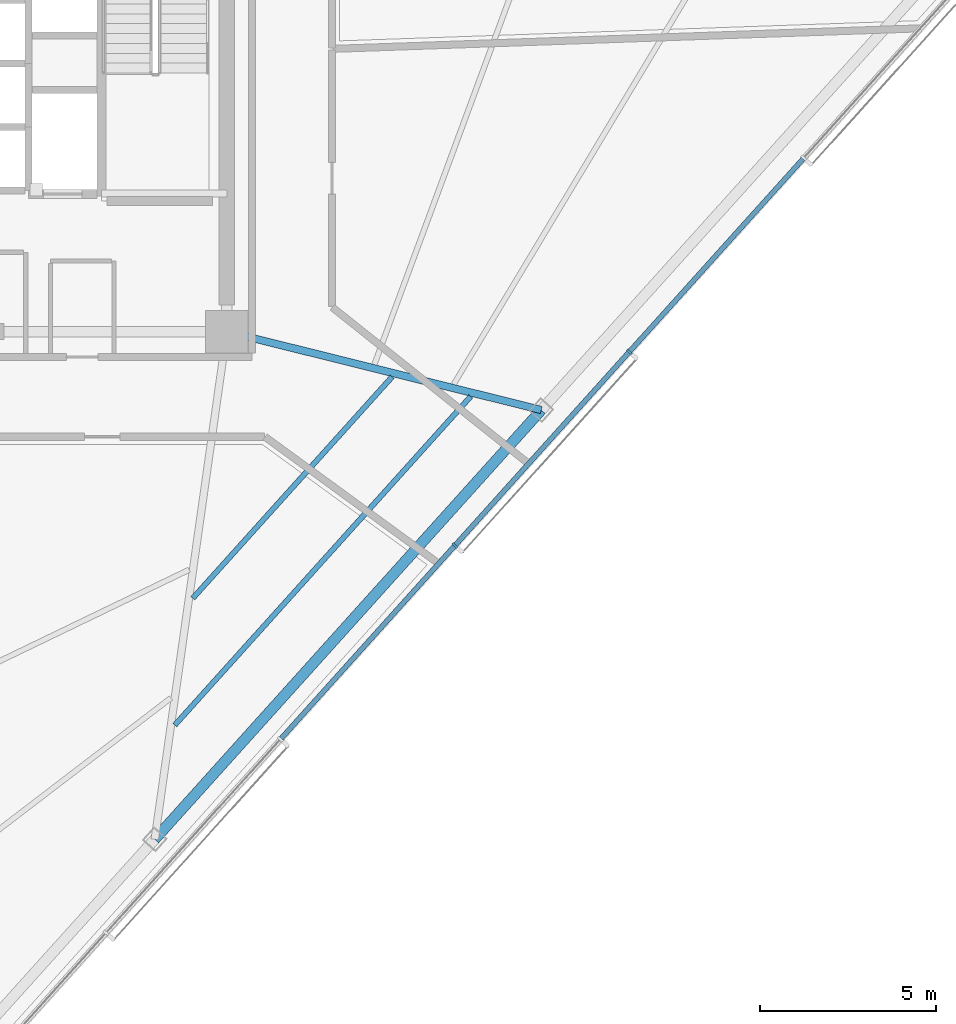
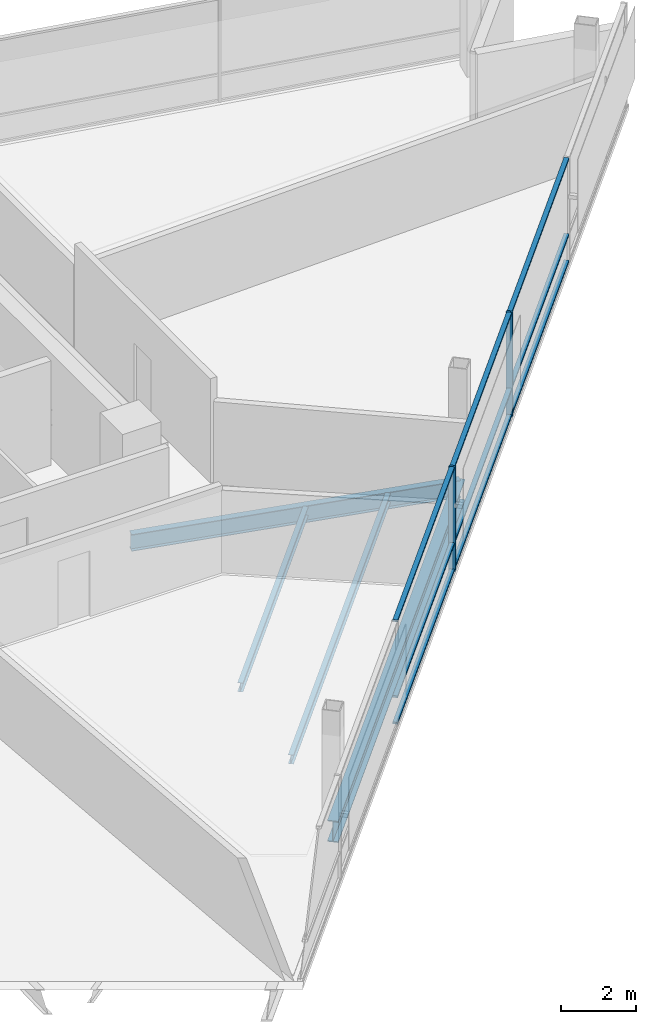
# One storey, part 4 of 17: 11 members, 4 beams, 1 element without a shape of its own.
"""IFC4 building model written with IfcOpenShell, lengths in metres."""

from ifc_helpers import new_model, si_unit, direction, frame, origin, origin_2d, place, context, subcontext, project, spatial, rectangle, i_section, extrude, material, layer, layer_set, material_profile, profile_set, type_object, element, aggregate, save


model = new_model("IFC4")

# Units and contexts
model_context = context("Model", 3, precision=1e-05, world=origin(), true_north=direction((0.0, 1.0)))
body_context = subcontext(model_context, "Body", "Model", "MODEL_VIEW")
ifc_project = project(units=[si_unit("LENGTHUNIT", "METRE"), si_unit("AREAUNIT", "SQUARE_METRE"), si_unit("VOLUMEUNIT", "CUBIC_METRE"), si_unit("PLANEANGLEUNIT", "RADIAN"), si_unit("MASSUNIT", "GRAM", prefix="KILO")], contexts=[model_context])

# Site, building, storey
site_placement = place(None, origin())
site = spatial("IfcSite", under=ifc_project, at=site_placement, CompositionType="ELEMENT")
building_placement = place(site_placement, origin())
building = spatial("IfcBuilding", under=site, at=building_placement, Name="Tharavind Bronze Gate", CompositionType="ELEMENT")
storey_placement = place(building_placement, frame((0.0, 0.0, 204.050048828125)))
storey = spatial("IfcBuildingStorey", under=building, at=storey_placement, Name="L52", CompositionType="ELEMENT", Elevation=204.050048828125)

# Curtain wall, members
ifc_material_1 = material(Name="Anodised Bronze Aluminium", Category="aluminium")
ifc_layer = layer(ifc_material_1, 0.219970703125)
ifc_layer_set = layer_set([ifc_layer], Name="Anodised Bronze Aluminium")
curtain_wall_type = type_object("IfcCurtainWallType", Name="UNITISED CURTAIN WALL MID OFFICE", PredefinedType="USERDEFINED", material=ifc_layer_set)
curtain_wall_placement = place(storey_placement, origin())
curtain_wall = element("IfcCurtainWall", 1, at=curtain_wall_placement, inside=storey, type_object=curtain_wall_type, Name="L52 unitised curtain wall mid office CW-L52-S2", ObjectType="UNITISED CURTAIN WALL", PredefinedType="USERDEFINED")
member_type_1 = type_object("IfcMemberType", Name="CURTAIN WALL BRONZE MULLION 65X180", PredefinedType="MULLION", material=ifc_material_1)
member_1_placement = place(storey_placement, frame((15.365966796875, -13.663818359375, 0.0), z_axis=(0.0, 0.0, 1.0), x_axis=(0.669130606359, 0.743144825477, 0.0)))
member_1 = element("IfcMember", 2, at=member_1_placement, type_object=member_type_1, Name="CW-L52-S2 mullion 5", PredefinedType="MULLION", context=body_context, shape_type="SweptSolid", body=[
    extrude(rectangle(XDim=0.06494140625, YDim=0.179931640625, at=origin_2d()), origin(), (0.0, 0.0, 1.0), 3.419921875),
])
member_2_placement = place(storey_placement, frame((20.310302734375, -8.17236328125, 0.0), z_axis=(0.0, 0.0, 1.0), x_axis=(0.669130606359, 0.743144825477, 0.0)))
member_2 = element("IfcMember", 3, at=member_2_placement, type_object=member_type_1, Name="CW-L52-S2 mullion 6", PredefinedType="MULLION", context=body_context, shape_type="SweptSolid", body=[
    extrude(rectangle(XDim=0.06494140625, YDim=0.179931640625, at=origin_2d()), origin(), (0.0, 0.0, 1.0), 3.419921875),
])
member_type_2 = type_object("IfcMemberType", Name="CURTAIN WALL BRONZE TRANSOM 65X140", PredefinedType="USERDEFINED", material=ifc_material_1)
member_3_placement = place(storey_placement, frame((12.8935546875, -16.409423828125, 0.0), z_axis=(0.0, 0.0, 1.0), x_axis=(0.669130606359, 0.743144825477, 0.0)))
member_3 = element("IfcMember", 4, at=member_3_placement, type_object=member_type_2, Name="CW-L52-S2 transom TB4", ObjectType="TRANSOM", PredefinedType="USERDEFINED", context=body_context, shape_type="SweptSolid", body=[
    extrude(rectangle(XDim=7.33642578125, YDim=0.139892578125, at=origin_2d()), origin(), (0.0, 0.0, 1.0), 0.06494140625),
])
member_4_placement = place(storey_placement, frame((12.8935546875, -16.409423828125, 0.867431640625), z_axis=(0.0, 0.0, 1.0), x_axis=(0.669130606359, 0.743144825477, 0.0)))
member_4 = element("IfcMember", 5, at=member_4_placement, type_object=member_type_2, Name="CW-L52-S2 transom TS4", ObjectType="TRANSOM", PredefinedType="USERDEFINED", context=body_context, shape_type="SweptSolid", body=[
    extrude(rectangle(XDim=7.33642578125, YDim=0.139892578125, at=origin_2d()), origin(), (0.0, 0.0, 1.0), 0.06494140625),
])
member_5_placement = place(storey_placement, frame((12.8935546875, -16.409423828125, 3.35498046875), z_axis=(0.0, 0.0, 1.0), x_axis=(0.669130606359, 0.743144825477, 0.0)))
member_5 = element("IfcMember", 6, at=member_5_placement, type_object=member_type_2, Name="CW-L52-S2 transom TT4", ObjectType="TRANSOM", PredefinedType="USERDEFINED", context=body_context, shape_type="SweptSolid", body=[
    extrude(rectangle(XDim=7.33642578125, YDim=0.139892578125, at=origin_2d()), origin(), (0.0, 0.0, 1.0), 0.06494140625),
])
member_6_placement = place(storey_placement, frame((17.838134765625, -10.91796875, 0.0), z_axis=(0.0, 0.0, 1.0), x_axis=(0.669130606359, 0.743144825477, 0.0)))
member_6 = element("IfcMember", 7, at=member_6_placement, type_object=member_type_2, Name="CW-L52-S2 transom TB5", ObjectType="TRANSOM", PredefinedType="USERDEFINED", context=body_context, shape_type="SweptSolid", body=[
    extrude(rectangle(XDim=7.33642578125, YDim=0.139892578125, at=origin_2d()), origin(), (0.0, 0.0, 1.0), 0.06494140625),
])
member_7_placement = place(storey_placement, frame((17.838134765625, -10.91796875, 0.867431640625), z_axis=(0.0, 0.0, 1.0), x_axis=(0.669130606359, 0.743144825477, 0.0)))
member_7 = element("IfcMember", 8, at=member_7_placement, type_object=member_type_2, Name="CW-L52-S2 transom TS5", ObjectType="TRANSOM", PredefinedType="USERDEFINED", context=body_context, shape_type="SweptSolid", body=[
    extrude(rectangle(XDim=7.33642578125, YDim=0.139892578125, at=origin_2d()), origin(), (0.0, 0.0, 1.0), 0.06494140625),
])
member_8_placement = place(storey_placement, frame((17.838134765625, -10.91796875, 3.35498046875), z_axis=(0.0, 0.0, 1.0), x_axis=(0.669130606359, 0.743144825477, 0.0)))
member_8 = element("IfcMember", 9, at=member_8_placement, type_object=member_type_2, Name="CW-L52-S2 transom TT5", ObjectType="TRANSOM", PredefinedType="USERDEFINED", context=body_context, shape_type="SweptSolid", body=[
    extrude(rectangle(XDim=7.33642578125, YDim=0.139892578125, at=origin_2d()), origin(), (0.0, 0.0, 1.0), 0.06494140625),
])
member_9_placement = place(storey_placement, frame((22.78271484375, -5.426513671875, 0.0), z_axis=(0.0, 0.0, 1.0), x_axis=(0.669130606359, 0.743144825477, 0.0)))
member_9 = element("IfcMember", 10, at=member_9_placement, type_object=member_type_2, Name="CW-L52-S2 transom TB6", ObjectType="TRANSOM", PredefinedType="USERDEFINED", context=body_context, shape_type="SweptSolid", body=[
    extrude(rectangle(XDim=7.33642578125, YDim=0.139892578125, at=origin_2d()), origin(), (0.0, 0.0, 1.0), 0.06494140625),
])
member_10_placement = place(storey_placement, frame((22.78271484375, -5.426513671875, 0.867431640625), z_axis=(0.0, 0.0, 1.0), x_axis=(0.669130606359, 0.743144825477, 0.0)))
member_10 = element("IfcMember", 11, at=member_10_placement, type_object=member_type_2, Name="CW-L52-S2 transom TS6", ObjectType="TRANSOM", PredefinedType="USERDEFINED", context=body_context, shape_type="SweptSolid", body=[
    extrude(rectangle(XDim=7.33642578125, YDim=0.139892578125, at=origin_2d()), origin(), (0.0, 0.0, 1.0), 0.06494140625),
])
member_11_placement = place(storey_placement, frame((22.78271484375, -5.426513671875, 3.35498046875), z_axis=(0.0, 0.0, 1.0), x_axis=(0.669130606359, 0.743144825477, 0.0)))
member_11 = element("IfcMember", 12, at=member_11_placement, type_object=member_type_2, Name="CW-L52-S2 transom TT6", ObjectType="TRANSOM", PredefinedType="USERDEFINED", context=body_context, shape_type="SweptSolid", body=[
    extrude(rectangle(XDim=7.33642578125, YDim=0.139892578125, at=origin_2d()), origin(), (0.0, 0.0, 1.0), 0.06494140625),
])
aggregate(curtain_wall, [member_1, member_2, member_3, member_4, member_5, member_6, member_7, member_8, member_9, member_10, member_11])

# Beams
ifc_material_2 = material(Name="Steel S355", Category="steel")
ifc_material_profile_1 = material_profile(ifc_material_2, i_section(OverallWidth=0.2099609375, OverallDepth=0.550048828125, WebThickness=0.010986328125, FlangeThickness=0.01708984375, at=origin_2d()), Name="IPE550")
ifc_profile_set_1 = profile_set([ifc_material_profile_1], Name="Steel S355")
beam_type_1 = type_object("IfcBeamType", Name="PRIMARY GIRDER IPE550", PredefinedType="USERDEFINED", material=ifc_profile_set_1)
beam_1_placement = place(storey_placement, frame((17.815185546875, -9.82275390625, -0.455078125), z_axis=(-0.970300158772, 0.241904117136, 0.0), x_axis=(-0.241904117136, -0.970300158772, 0.0)))
element("IfcBeam", 13, at=beam_1_placement, inside=storey, type_object=beam_type_1, Name="L52 primary girder ipe550 BM-L52-RAD07", ObjectType="GIRDER", PredefinedType="USERDEFINED", context=body_context, shape_type="SweptSolid", body=[
    extrude(i_section(OverallWidth=0.2099609375, OverallDepth=0.550048828125, WebThickness=0.010986328125, FlangeThickness=0.01708984375, at=origin_2d()), origin(), (0.0, 0.0, 1.0), 9.188232421875),
])
ifc_material_profile_2 = material_profile(ifc_material_2, i_section(OverallWidth=0.300048828125, OverallDepth=0.699951171875, WebThickness=0.01708984375, FlangeThickness=0.031982421875, at=origin_2d()), Name="HE700B")
ifc_profile_set_2 = profile_set([ifc_material_profile_2], Name="Steel S355")
beam_type_2 = type_object("IfcBeamType", Name="RING GIRDER HE700B", PredefinedType="USERDEFINED", material=ifc_profile_set_2)
beam_2_placement = place(storey_placement, frame((6.857421875, -21.992431640625, -0.530029296875), z_axis=(0.669135213786, 0.743140676906, 0.0), x_axis=(-0.743140676906, 0.669135213786, 0.0)))
element("IfcBeam", 14, at=beam_2_placement, inside=storey, type_object=beam_type_2, Name="L52 ring girder he700b BM-L52-PRG06", ObjectType="GIRDER", PredefinedType="USERDEFINED", context=body_context, shape_type="SweptSolid", body=[
    extrude(i_section(OverallWidth=0.300048828125, OverallDepth=0.699951171875, WebThickness=0.01708984375, FlangeThickness=0.031982421875, at=origin_2d()), origin(), (0.0, 0.0, 1.0), 16.3759765625),
])
ifc_material_profile_3 = material_profile(ifc_material_2, i_section(OverallWidth=0.14990234375, OverallDepth=0.300048828125, WebThickness=0.007080078125, FlangeThickness=0.0107421875, at=origin_2d()), Name="IPE300")
ifc_profile_set_3 = profile_set([ifc_material_profile_3], Name="Steel S355")
beam_type_3 = type_object("IfcBeamType", Name="SECONDARY FLOOR JOIST IPE300", PredefinedType="JOIST", material=ifc_profile_set_3)
beam_3_placement = place(storey_placement, frame((7.935791015625, -15.1572265625, -0.330078125), z_axis=(0.669138786469, 0.743137459991, 0.0), x_axis=(-0.743137459991, 0.669138786469, 0.0)))
element("IfcBeam", 15, at=beam_3_placement, inside=storey, type_object=beam_type_3, Name="L52 secondary floor joist ipe300 BM-L52-JSTA06", PredefinedType="JOIST", context=body_context, shape_type="SweptSolid", body=[
    extrude(i_section(OverallWidth=0.14990234375, OverallDepth=0.300048828125, WebThickness=0.007080078125, FlangeThickness=0.0107421875, at=origin_2d()), origin(), (0.0, 0.0, 1.0), 8.446044921875),
])
beam_4_placement = place(storey_placement, frame((7.425048828125, -18.75537109375, -0.330078125), z_axis=(0.669137887746, 0.743138269222, 0.0), x_axis=(-0.743138269222, 0.669137887746, 0.0)))
element("IfcBeam", 16, at=beam_4_placement, inside=storey, type_object=beam_type_3, Name="L52 secondary floor joist ipe300 BM-L52-JSTB06", PredefinedType="JOIST", context=body_context, shape_type="SweptSolid", body=[
    extrude(i_section(OverallWidth=0.14990234375, OverallDepth=0.300048828125, WebThickness=0.007080078125, FlangeThickness=0.0107421875, at=origin_2d()), origin(), (0.0, 0.0, 1.0), 12.540283203125),
])

save(model, "model.ifc")
